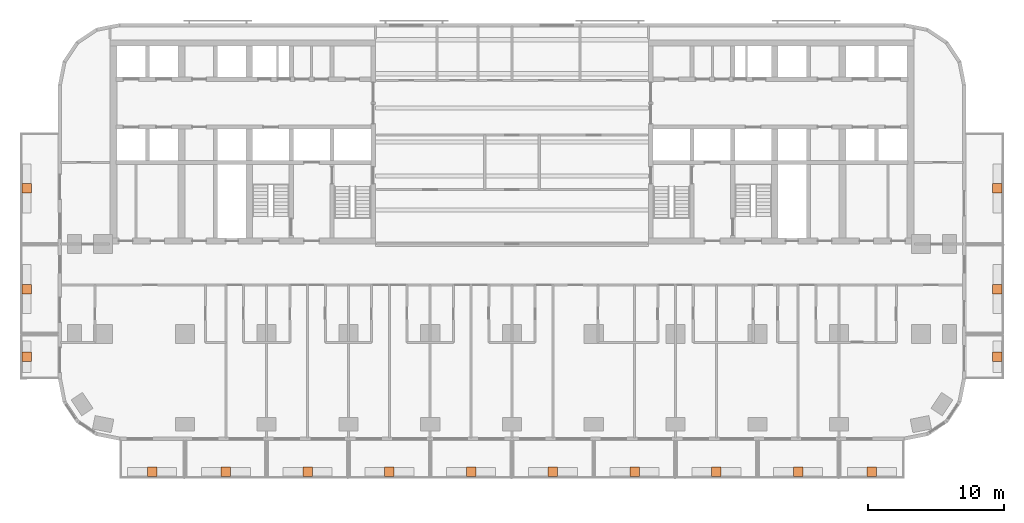
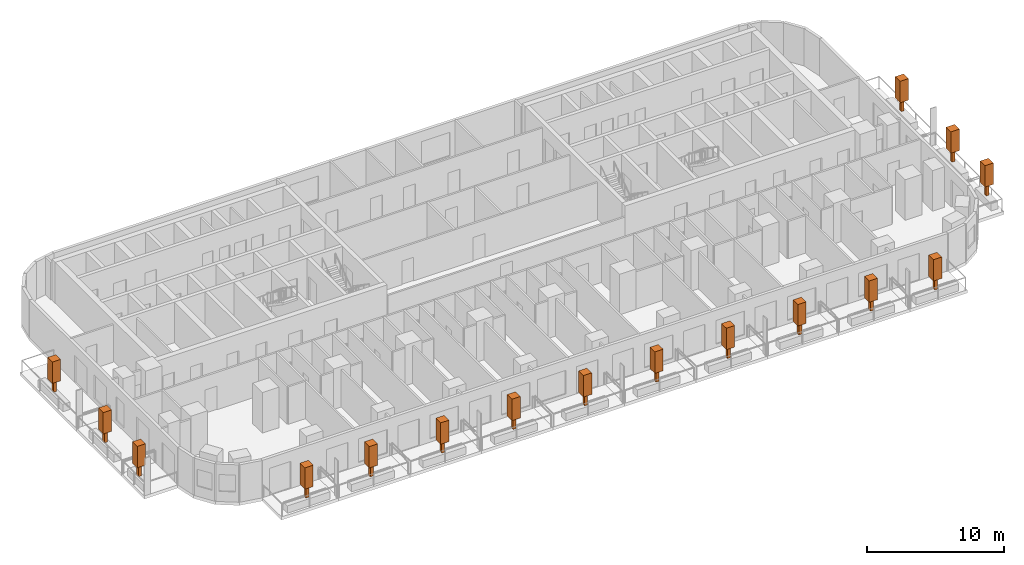
# One storey, part 14 of 14: 16 geographic elements.
"""IFC4 building model written with IfcOpenShell, lengths in metres."""

from ifc_helpers import new_model, si_unit, direction, frame, origin, origin_2d, place, context, subcontext, project, spatial, rectangle, extrude, material, element, save


model = new_model("IFC4")

# Units and contexts
model_context = context("Model", 3, precision=1e-05, world=origin(), true_north=direction((0.0, 1.0)))
body_context = subcontext(model_context, "Body", "Model", "MODEL_VIEW")
ifc_project = project(units=[si_unit("LENGTHUNIT", "METRE"), si_unit("AREAUNIT", "SQUARE_METRE"), si_unit("VOLUMEUNIT", "CUBIC_METRE"), si_unit("PLANEANGLEUNIT", "RADIAN"), si_unit("MASSUNIT", "GRAM", prefix="KILO")], contexts=[model_context])

# Site, building, storey
site_placement = place(None, origin())
site = spatial("IfcSite", under=ifc_project, at=site_placement, CompositionType="ELEMENT")
building_placement = place(site_placement, origin())
building = spatial("IfcBuilding", under=site, at=building_placement, Name="Torana Hotel and Residences", CompositionType="ELEMENT")
storey_placement = place(building_placement, frame((0.0, 0.0, 38.39990234375)))
storey = spatial("IfcBuildingStorey", under=building, at=storey_placement, Name="L08", CompositionType="ELEMENT", Elevation=38.39990234375)

# Geographic elements
ifc_material = material(Name="Foliage", Category="planting")
for number, where, z_axis, x_axis, name in (
    (1, (-26.39990234375, -31.699951171875, 0.650146484375), (0.0, 0.0, 1.0), (1.0, 0.0, 0.0), "Tree 01"),
    (2, (-21.0, -31.699951171875, 0.650146484375), (0.0, 0.0, 1.0), (1.0, 0.0, 0.0), "Tree 02"),
    (3, (-15.0, -31.699951171875, 0.650146484375), (0.0, 0.0, 1.0), (1.0, 0.0, 0.0), "Tree 03"),
    (4, (-9.0, -31.699951171875, 0.650146484375), (0.0, 0.0, 1.0), (1.0, 0.0, 0.0), "Tree 04"),
    (5, (-3.0, -31.699951171875, 0.650146484375), (0.0, 0.0, 1.0), (1.0, 0.0, 0.0), "Tree 05"),
    (6, (3.0, -31.699951171875, 0.650146484375), (0.0, 0.0, 1.0), (1.0, 0.0, 0.0), "Tree 06"),
    (7, (9.0, -31.699951171875, 0.650146484375), (0.0, 0.0, 1.0), (1.0, 0.0, 0.0), "Tree 07"),
    (8, (15.0, -31.699951171875, 0.650146484375), (0.0, 0.0, 1.0), (1.0, 0.0, 0.0), "Tree 08"),
    (9, (21.0, -31.699951171875, 0.650146484375), (0.0, 0.0, 1.0), (1.0, 0.0, 0.0), "Tree 09"),
    (10, (26.39990234375, -31.699951171875, 0.650146484375), (0.0, 0.0, 1.0), (1.0, 0.0, 0.0), "Tree 10"),
    (11, (-35.60009765625, -23.25, 0.650146484375), (0.0, 0.0, 1.0), (1.0, 0.0, 0.0), "Tree 11"),
    (12, (-35.60009765625, -18.300048828125, 0.650146484375), (0.0, 0.0, 1.0), (1.0, 0.0, 0.0), "Tree 12"),
    (13, (-35.60009765625, -10.89990234375, 0.650146484375), (0.0, 0.0, 1.0), (1.0, 0.0, 0.0), "Tree 13"),
    (14, (35.60009765625, -23.25, 0.650146484375), (0.0, 0.0, 1.0), (1.0, 0.0, 0.0), "Tree 14"),
    (15, (35.60009765625, -18.300048828125, 0.650146484375), (0.0, 0.0, 1.0), (1.0, 0.0, 0.0), "Tree 15"),
    (16, (35.60009765625, -10.89990234375, 0.650146484375), (0.0, 0.0, 1.0), (1.0, 0.0, 0.0), "Tree 16"),
):
    element("IfcGeographicElement", number, at=place(storey_placement, frame(where, z_axis=z_axis, x_axis=x_axis)), inside=storey, material=ifc_material, Name=name, ObjectType="TREE", PredefinedType="USERDEFINED", context=body_context, shape_type="SweptSolid", body=[
        extrude(rectangle(XDim=0.25, YDim=0.25, at=origin_2d()), origin(), (0.0, 0.0, 1.0), 1.0),
        extrude(rectangle(XDim=0.699951171875, YDim=0.699951171875, at=origin_2d()), frame((0.0, 0.0, 1.0)), (0.0, 0.0, 1.0), 1.89990234375),
    ])

save(model, "model.ifc")
